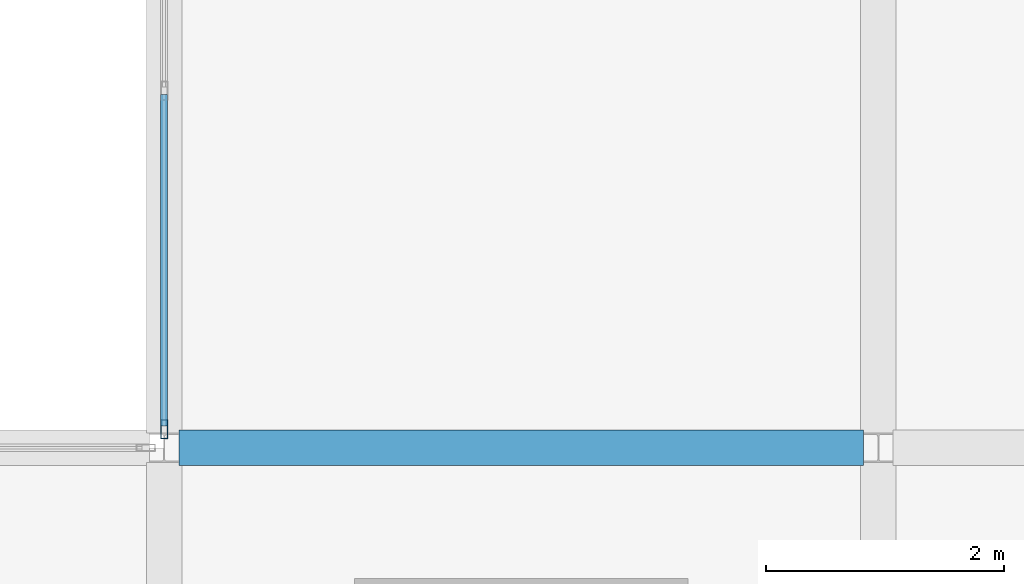
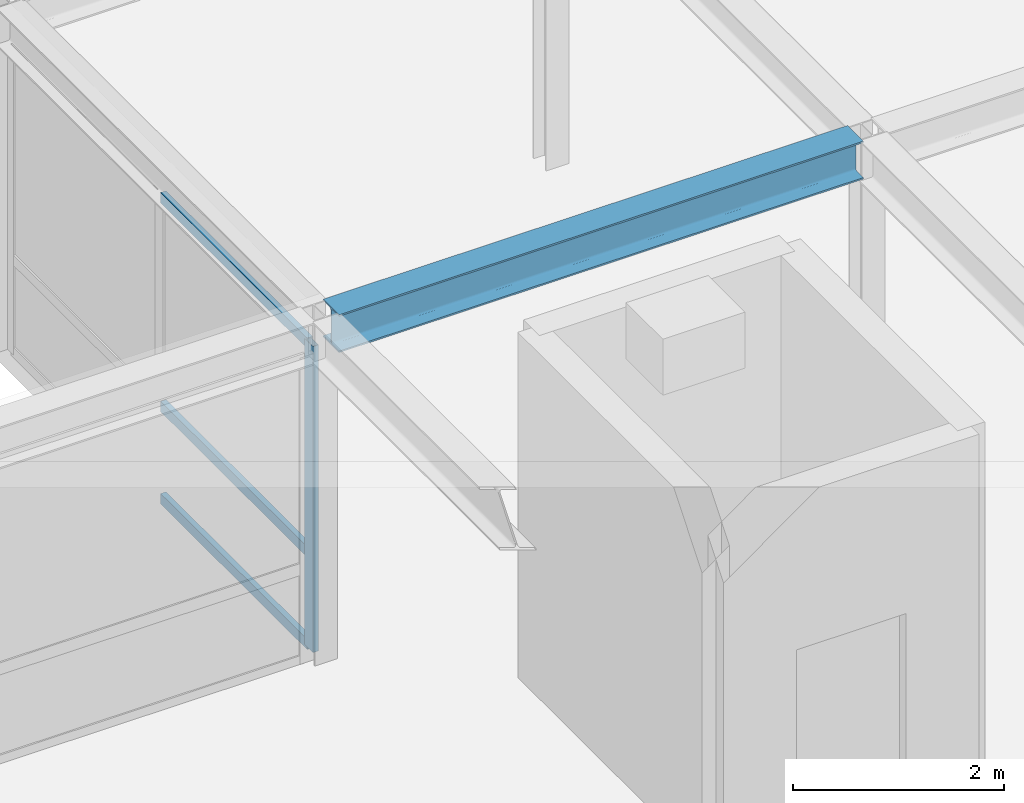
# One storey, part 40 of 111: 4 members, 1 beam, 1 element without a shape of its own.
"""IFC4 building model written with IfcOpenShell, lengths in metres."""

import ifcopenshell
import ifcopenshell.guid

model = None  # the IFC model being written
_history = None  # IfcOwnerHistory: only IFC2X3 demands one
_inside = {}  # id of a spatial element -> (the spatial element, [elements in it])
_under = {}  # id of a project, library or spatial element -> (it, [spatial elements below it])
_declared = {}  # id of a project -> (the project, [libraries it declares])
_typed = {}  # id of a type object -> (the type object, [elements of that type])
_made_of = {}  # id of a material, layer set ... -> (it, [elements and type objects made of it])


def new_model(schema):
    """Start an empty IFC model of exactly this schema.

    Asked for "IFC4X3", IfcOpenShell would pick the latest addendum, in which some entities
    have other attributes; the version numbers below select the first issue.
    IFC2X3 requires an IfcOwnerHistory on every rooted entity: one is made here for all.
    """
    global model, _history
    if schema == "IFC4X3":
        model = ifcopenshell.file(schema_version=(4, 3, 0, 0))
    else:
        model = ifcopenshell.file(schema=schema)
    _inside.clear()
    _under.clear()
    _declared.clear()
    _typed.clear()
    _made_of.clear()
    _history = None
    if model.schema == "IFC2X3":
        org = make("IfcOrganization", Name="unknown")
        user = make(
            "IfcPersonAndOrganization",
            ThePerson=make("IfcPerson", FamilyName="unknown"),
            TheOrganization=org,
        )
        app = make(
            "IfcApplication",
            ApplicationDeveloper=org,
            Version="unknown",
            ApplicationFullName="unknown",
            ApplicationIdentifier="unknown",
        )
        _history = make(
            "IfcOwnerHistory",
            OwningUser=user,
            OwningApplication=app,
            ChangeAction="ADDED",
            CreationDate=0,
        )
    return model


def make(cls, **values):
    """One entity of the class cls with the attributes given. An attribute that is None is left unset."""
    return model.create_entity(
        cls, **{name: value for name, value in values.items() if value is not None}
    )


def rooted(cls, **values):
    """An entity with a GlobalId (a new one), such as an element, a storey or a relation."""
    return make(cls, GlobalId=ifcopenshell.guid.new(), OwnerHistory=_history, **values)


def si_unit(unit_type, name, prefix=None):
    """IfcSIUnit, for example si_unit("LENGTHUNIT", "METRE", prefix="MILLI")."""
    return make("IfcSIUnit", UnitType=unit_type, Prefix=prefix, Name=name)


def assignment(units):
    """IfcUnitAssignment: the units of a project."""
    return None if units is None else make("IfcUnitAssignment", Units=units)


def point(xyz):
    """IfcCartesianPoint."""
    return None if xyz is None else make("IfcCartesianPoint", Coordinates=xyz)


def direction(xyz):
    """IfcDirection."""
    return None if xyz is None else make("IfcDirection", DirectionRatios=xyz)


def frame(location, z_axis=None, x_axis=None):
    """IfcAxis2Placement3D, a coordinate frame: its origin and axes. An axis left out is left unset."""
    return make(
        "IfcAxis2Placement3D",
        Location=point(location),
        Axis=direction(z_axis),
        RefDirection=direction(x_axis),
    )


def frame_2d(location, x_axis=None):
    """IfcAxis2Placement2D, a coordinate frame in the plane: its origin and x axis."""
    return make(
        "IfcAxis2Placement2D", Location=point(location), RefDirection=direction(x_axis)
    )


def origin():
    """The frame at (0, 0, 0) with its axes left unset."""
    return frame((0.0, 0.0, 0.0))


def origin_2d():
    """The frame at (0, 0) in the plane with its x axis left unset."""
    return frame_2d((0.0, 0.0))


def place(relative_to, where):
    """IfcLocalPlacement: puts the frame where relative to a parent placement (None: the world)."""
    return make(
        "IfcLocalPlacement", PlacementRelTo=relative_to, RelativePlacement=where
    )


def context(
    kind, dimensions, precision=None, world=None, true_north=None, identifier=None
):
    """IfcGeometricRepresentationContext, for example the 3D "Model" context."""
    return make(
        "IfcGeometricRepresentationContext",
        ContextIdentifier=identifier,
        ContextType=kind,
        CoordinateSpaceDimension=dimensions,
        Precision=precision,
        WorldCoordinateSystem=world,
        TrueNorth=true_north,
    )


def subcontext(parent, identifier, kind, view, scale=None):
    """IfcGeometricRepresentationSubContext, for example "Body" below "Model"."""
    return make(
        "IfcGeometricRepresentationSubContext",
        ContextIdentifier=identifier,
        ContextType=kind,
        ParentContext=parent,
        TargetScale=scale,
        TargetView=view,
    )


def project(units=None, contexts=None):
    """IfcProject with its units and contexts."""
    return rooted(
        "IfcProject",
        Name="project",
        RepresentationContexts=contexts,
        UnitsInContext=assignment(units),
    )


def spatial(cls, under=None, at=None, **own):
    """A site, building, storey or space (cls), placed at a placement, below another one or the project."""
    s = rooted(cls, ObjectPlacement=at, **own)
    if under is not None:
        _under.setdefault(under.id(), (under, []))[1].append(s)
    return s


def profile(cls, at=None, kind="AREA", **sizes):
    """A parametric profile (cls). Its sizes go by their IFC names, for example OverallWidth=200.0."""
    return make(cls, ProfileType=kind, Position=at, **sizes)


def hollow_rectangle(**sizes):
    """IfcRectangleHollowProfileDef."""
    return profile("IfcRectangleHollowProfileDef", **sizes)


def i_section(**sizes):
    """IfcIShapeProfileDef."""
    return profile("IfcIShapeProfileDef", **sizes)


def extrude(swept, where, along, depth):
    """IfcExtrudedAreaSolid: the profile swept, set in the frame where, extruded along a direction by depth."""
    return make(
        "IfcExtrudedAreaSolid",
        SweptArea=swept,
        Position=where,
        ExtrudedDirection=direction(along),
        Depth=depth,
    )


def shape(context_of_items, identifier, shape_type, items):
    """IfcShapeRepresentation: the items that make up one representation, for example the "Body"."""
    return make(
        "IfcShapeRepresentation",
        ContextOfItems=context_of_items,
        RepresentationIdentifier=identifier,
        RepresentationType=shape_type,
        Items=items,
    )


def material(Name=None, Category=None):
    """IfcMaterial."""
    return make("IfcMaterial", Name=Name, Category=Category)


def layer(
    of_material, thickness, ventilated=None, Name=None, Category=None, Priority=None
):
    """IfcMaterialLayer: one layer of a wall or slab, of a material (None: an air gap)."""
    return make(
        "IfcMaterialLayer",
        Material=of_material,
        LayerThickness=thickness,
        IsVentilated=ventilated,
        Name=Name,
        Category=Category,
        Priority=Priority,
    )


def layer_set(layers, Name=None):
    """IfcMaterialLayerSet."""
    return make("IfcMaterialLayerSet", MaterialLayers=layers, LayerSetName=Name)


def material_profile(
    of_material, cross_section, Name=None, Category=None, Priority=None
):
    """IfcMaterialProfile: a cross section and its material."""
    return make(
        "IfcMaterialProfile",
        Name=Name,
        Material=of_material,
        Profile=cross_section,
        Priority=Priority,
        Category=Category,
    )


def profile_set(profiles, Name=None, composite=None):
    """IfcMaterialProfileSet."""
    return make(
        "IfcMaterialProfileSet",
        Name=Name,
        MaterialProfiles=profiles,
        CompositeProfile=composite,
    )


def made_of(thing, what):
    """Note that an element or type object is made of a material, layer set ...; save() writes the relation."""
    if what is not None:
        _made_of.setdefault(what.id(), (what, []))[1].append(thing)
    return thing


def type_object(cls, material=None, **own):
    """A type object (cls), such as IfcWallType, which elements share."""
    return made_of(rooted(cls, **own), material)


def element(
    cls,
    number,
    at=None,
    inside=None,
    cuts=None,
    type_object=None,
    material=None,
    context=None,
    identifier="Body",
    shape_type=None,
    held_by="IfcProductDefinitionShape",
    body=None,
    shapes=None,
    **own,
):
    """One element of the class cls, such as IfcWall. Its Tag is "e" and its number.

    at: its placement. inside: the storey or other place that contains it. cuts: it is an
    opening in that element (IfcRelVoidsElement). A single representation is given by context,
    identifier, shape_type and body (its items); several are given by shapes. held_by: the class
    of the entity that holds the representations. save() writes the other relations.
    """
    e = rooted(cls, Tag="e%d" % number, ObjectPlacement=at, **own)
    if body is not None:
        shapes = [shape(context, identifier, shape_type, body)]
    if shapes is not None:
        e.Representation = make(held_by, Representations=shapes)
    if inside is not None:
        _inside.setdefault(inside.id(), (inside, []))[1].append(e)
    if cuts is not None:
        rooted(
            "IfcRelVoidsElement", RelatingBuildingElement=cuts, RelatedOpeningElement=e
        )
    if type_object is not None:
        _typed.setdefault(type_object.id(), (type_object, []))[1].append(e)
    return made_of(e, material)


def aggregate(whole, parts):
    """IfcRelAggregates: a whole, such as a stair, and the parts it consists of."""
    return rooted("IfcRelAggregates", RelatingObject=whole, RelatedObjects=parts)


def save(model, path):
    """Write the relations noted so far, then the file.

    IfcRelAggregates (storeys below a building ...), IfcRelContainedInSpatialStructure (elements
    in a storey), IfcRelDefinesByType, IfcRelAssociatesMaterial and IfcRelDeclares: one each for
    every whole, place, type object, material and project.
    """
    for whole, parts in _under.values():
        aggregate(whole, parts)
    for where, things in _inside.values():
        rooted(
            "IfcRelContainedInSpatialStructure",
            RelatedElements=things,
            RelatingStructure=where,
        )
    for kind, things in _typed.values():
        rooted("IfcRelDefinesByType", RelatedObjects=things, RelatingType=kind)
    for what, things in _made_of.values():
        rooted("IfcRelAssociatesMaterial", RelatedObjects=things, RelatingMaterial=what)
    for by, libraries in _declared.values():
        rooted("IfcRelDeclares", RelatingContext=by, RelatedDefinitions=libraries)
    model.write(path)


model = new_model("IFC4")

# Units and contexts
model_context = context("Model", 3, precision=1e-05, world=origin(), true_north=direction((0.0, 1.0)))
body_context = subcontext(model_context, "Body", "Model", "MODEL_VIEW")
ifc_project = project(units=[si_unit("LENGTHUNIT", "METRE"), si_unit("AREAUNIT", "SQUARE_METRE"), si_unit("VOLUMEUNIT", "CUBIC_METRE"), si_unit("PLANEANGLEUNIT", "RADIAN"), si_unit("MASSUNIT", "GRAM", prefix="KILO")], contexts=[model_context])

# Site, building, storey
site_placement = place(None, origin())
site = spatial("IfcSite", under=ifc_project, at=site_placement, CompositionType="ELEMENT")
building_placement = place(site_placement, origin())
building = spatial("IfcBuilding", under=site, at=building_placement, Name="Zlatovratsky Civic Hall", CompositionType="ELEMENT")
storey_placement = place(building_placement, frame((0.0, 0.0, 16.5)))
storey = spatial("IfcBuildingStorey", under=building, at=storey_placement, Name="L04", CompositionType="ELEMENT", Elevation=16.5)

# Beam
ifc_material_1 = material(Name="Steel S355", Category="steel")
ifc_material_profile_1 = material_profile(ifc_material_1, i_section(OverallWidth=0.300048828125, OverallDepth=0.43994140625, WebThickness=0.010986328125, FlangeThickness=0.01806640625, FilletRadius=0.02197265625, at=origin_2d()), Name="45Sh1")
ifc_profile_set_1 = profile_set([ifc_material_profile_1], Name="Steel S355")
beam_type = type_object("IfcBeamType", Name="Beam_TowerLow_45Sh1", PredefinedType="BEAM", material=ifc_profile_set_1)
beam_placement = place(storey_placement, frame((48.125, 30.0, 3.780029296875), z_axis=(1.0, 0.0, 0.0), x_axis=(0.0, 1.0, 0.0)))
element("IfcBeam", 1, at=beam_placement, inside=storey, type_object=beam_type, Name="BM-3261", PredefinedType="BEAM", context=body_context, shape_type="SweptSolid", body=[
    extrude(i_section(OverallWidth=0.300048828125, OverallDepth=0.43994140625, WebThickness=0.010986328125, FlangeThickness=0.01806640625, FilletRadius=0.02197265625, at=origin_2d()), origin(), (0.0, 0.0, 1.0), 5.75),
])

# Curtain wall, members
ifc_material_2 = material(Name="Anodised bronze aluminium", Category="aluminium")
ifc_layer = layer(ifc_material_2, 0.159912109375)
ifc_layer_set = layer_set([ifc_layer], Name="Anodised bronze aluminium")
curtain_wall_type = type_object("IfcCurtainWallType", Name="CurtainWall_Bronze_5750x3550_18", PredefinedType="NOTDEFINED", material=ifc_layer_set)
curtain_wall_placement = place(storey_placement, origin())
curtain_wall = element("IfcCurtainWall", 2, at=curtain_wall_placement, inside=storey, type_object=curtain_wall_type, Name="CW-105", PredefinedType="NOTDEFINED")
ifc_material_profile_2 = material_profile(ifc_material_2, hollow_rectangle(XDim=0.06005859375, YDim=0.159912109375, WallThickness=0.00390625, at=origin_2d()), Name="ALU 60x160x4")
ifc_profile_set_2 = profile_set([ifc_material_profile_2], Name="Anodised bronze aluminium")
member_type_1 = type_object("IfcMemberType", Name="CW_Mullion_60x160", PredefinedType="MULLION", material=ifc_profile_set_2)
member_1_placement = place(storey_placement, frame((48.0, 30.155029296875, 0.0), z_axis=(0.0, 0.0, 1.0), x_axis=(-1.0, 0.0, 0.0)))
member_1 = element("IfcMember", 3, at=member_1_placement, type_object=member_type_1, Name="CW-18 mullion 1", PredefinedType="MULLION", context=body_context, shape_type="SweptSolid", body=[
    extrude(hollow_rectangle(XDim=0.06005859375, YDim=0.159912109375, WallThickness=0.00390625, at=origin_2d()), origin(), (0.0, 0.0, 1.0), 3.550048828125),
])
ifc_material_profile_3 = material_profile(ifc_material_2, hollow_rectangle(XDim=0.06005859375, YDim=0.1201171875, WallThickness=0.00390625, at=origin_2d()), Name="ALU 60x120x4")
ifc_profile_set_3 = profile_set([ifc_material_profile_3], Name="Anodised bronze aluminium")
member_type_2 = type_object("IfcMemberType", Name="CW_Transom_60x120", PredefinedType="USERDEFINED", material=ifc_profile_set_3)
member_2_placement = place(storey_placement, frame((48.0, 30.18505859375, 0.030029296875), z_axis=(0.0, 1.0, 0.0), x_axis=(-1.0, 0.0, 0.0)))
member_2 = element("IfcMember", 4, at=member_2_placement, type_object=member_type_2, Name="CW-18 transom 1.1", ObjectType="TRANSOM", PredefinedType="USERDEFINED", context=body_context, shape_type="SweptSolid", body=[
    extrude(hollow_rectangle(XDim=0.06005859375, YDim=0.1201171875, WallThickness=0.00390625, at=origin_2d()), origin(), (0.0, 0.0, 1.0), 2.784912109375),
])
member_3_placement = place(storey_placement, frame((48.0, 30.18505859375, 1.10009765625), z_axis=(0.0, 1.0, 0.0), x_axis=(-1.0, 0.0, 0.0)))
member_3 = element("IfcMember", 5, at=member_3_placement, type_object=member_type_2, Name="CW-18 transom 1.2", ObjectType="TRANSOM", PredefinedType="USERDEFINED", context=body_context, shape_type="SweptSolid", body=[
    extrude(hollow_rectangle(XDim=0.06005859375, YDim=0.1201171875, WallThickness=0.00390625, at=origin_2d()), origin(), (0.0, 0.0, 1.0), 2.784912109375),
])
member_4_placement = place(storey_placement, frame((48.0, 30.18505859375, 3.52001953125), z_axis=(0.0, 1.0, 0.0), x_axis=(-1.0, 0.0, 0.0)))
member_4 = element("IfcMember", 6, at=member_4_placement, type_object=member_type_2, Name="CW-18 transom 1.3", ObjectType="TRANSOM", PredefinedType="USERDEFINED", context=body_context, shape_type="SweptSolid", body=[
    extrude(hollow_rectangle(XDim=0.06005859375, YDim=0.1201171875, WallThickness=0.00390625, at=origin_2d()), origin(), (0.0, 0.0, 1.0), 2.784912109375),
])
aggregate(curtain_wall, [member_1, member_2, member_3, member_4])

save(model, "model.ifc")
